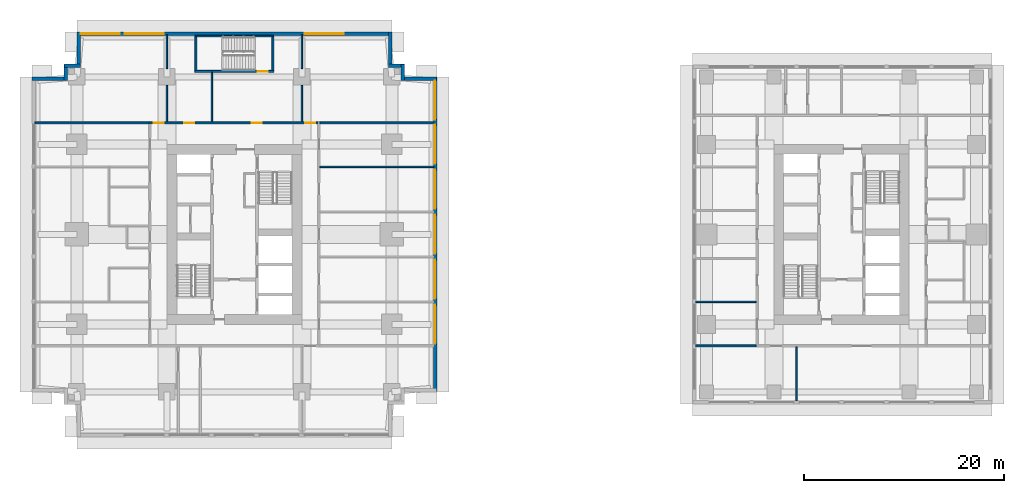
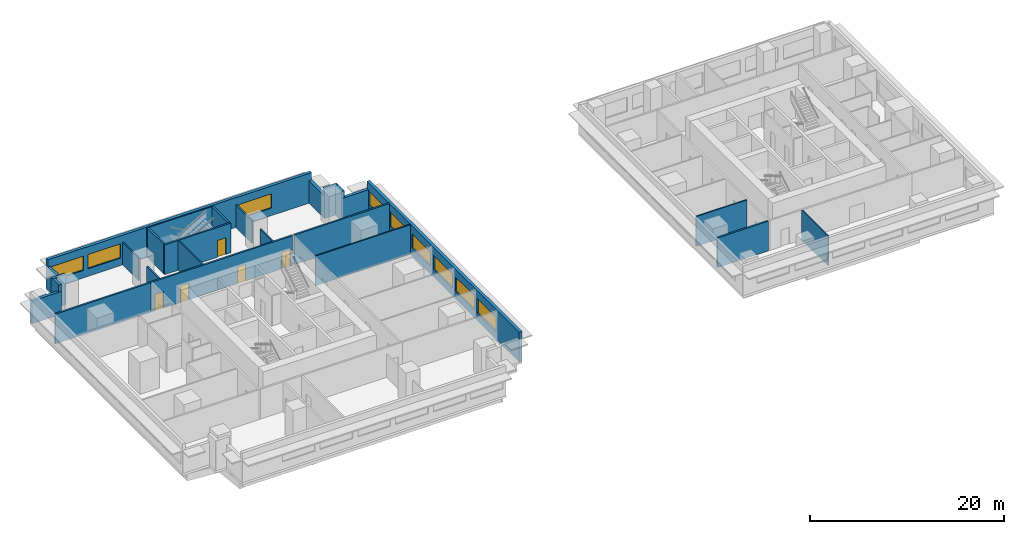
# One storey, part 5 of 11: 26 walls, 9 windows, 5 doors, 14 openings.
"""IFC4 building model written with IfcOpenShell, lengths in metres."""

from ifc_helpers import new_model, si_unit, direction, frame, frame_2d, origin, place, context, subcontext, project, spatial, rectangle, extrude, material, layer, layer_set, type_object, element, fill, save


model = new_model("IFC4")

# Units and contexts
model_context = context("Model", 3, precision=1e-05, world=origin(), true_north=direction((0.0, 1.0)))
body_context = subcontext(model_context, "Body", "Model", "MODEL_VIEW")
ifc_project = project(units=[si_unit("LENGTHUNIT", "METRE"), si_unit("AREAUNIT", "SQUARE_METRE"), si_unit("VOLUMEUNIT", "CUBIC_METRE"), si_unit("PLANEANGLEUNIT", "RADIAN"), si_unit("MASSUNIT", "GRAM", prefix="KILO")], contexts=[model_context])

# Site, building, storey
site_placement = place(None, origin())
site = spatial("IfcSite", under=ifc_project, at=site_placement, CompositionType="ELEMENT")
building_placement = place(site_placement, origin())
building = spatial("IfcBuilding", under=site, at=building_placement, Name="Namib Vertical Campus", CompositionType="ELEMENT")
storey_placement = place(building_placement, frame((0.0, 0.0, 185.0)))
storey = spatial("IfcBuildingStorey", under=building, at=storey_placement, Name="L43", CompositionType="ELEMENT", Elevation=185.0)

# Wall, openings, doors
ifc_material_1 = material(Name="Concrete masonry", Category="masonry")
ifc_layer_1 = layer(ifc_material_1, 0.199951171875)
ifc_layer_set_1 = layer_set([ifc_layer_1], Name="Corridor wall 200")
wall_type_1 = type_object("IfcWallType", Name="Corridor wall 200", PredefinedType="SOLIDWALL", material=ifc_layer_set_1)
wall_1_placement = place(storey_placement, frame((28.60009765625, 31.39990234375, 0.0), z_axis=(0.0, 0.0, 1.0), x_axis=(-1.0, 0.0, 0.0)))
wall_1 = element("IfcWall", 1, at=wall_1_placement, inside=storey, type_object=wall_type_1, Name="Corridor wall A L43 CN", PredefinedType="SOLIDWALL", context=body_context, shape_type="SweptSolid", body=[
    extrude(rectangle(XDim=16.900146484375, YDim=0.199951171875, at=frame_2d((8.4501953125, 0.0))), origin(), (0.0, 0.0, 1.0), 3.75),
])
opening_1_placement = place(wall_1_placement, frame((15.425048828125, 0.0, 0.0)))
opening_1 = element("IfcOpeningElement", 2, at=opening_1_placement, cuts=wall_1, Name="Opening CD1", PredefinedType="OPENING", context=body_context, shape_type="SweptSolid", body=[
    extrude(rectangle(XDim=1.0, YDim=2.10009765625, at=frame_2d((0.5, 1.050048828125))), frame((0.0, 0.10986328125, 0.0), z_axis=(0.0, -1.0, 0.0), x_axis=(1.0, 0.0, 0.0)), (0.0, 0.0, 1.0), 0.219970703125),
])
opening_2_placement = place(wall_1_placement, frame((12.35009765625, 0.0, 0.0)))
opening_2 = element("IfcOpeningElement", 3, at=opening_2_placement, cuts=wall_1, Name="Opening CD1", PredefinedType="OPENING", context=body_context, shape_type="SweptSolid", body=[
    extrude(rectangle(XDim=1.0, YDim=2.10009765625, at=frame_2d((0.5, 1.050048828125))), frame((0.0, 0.10986328125, 0.0), z_axis=(0.0, -1.0, 0.0), x_axis=(1.0, 0.0, 0.0)), (0.0, 0.0, 1.0), 0.219970703125),
])
opening_3_placement = place(wall_1_placement, frame((5.60009765625, 0.0, 0.0)))
opening_3 = element("IfcOpeningElement", 4, at=opening_3_placement, cuts=wall_1, Name="Opening CD4", PredefinedType="OPENING", context=body_context, shape_type="SweptSolid", body=[
    extrude(rectangle(XDim=1.0, YDim=2.10009765625, at=frame_2d((0.5, 1.050048828125))), frame((0.0, 0.10986328125, 0.0), z_axis=(0.0, -1.0, 0.0), x_axis=(1.0, 0.0, 0.0)), (0.0, 0.0, 1.0), 0.219970703125),
])
opening_4_placement = place(wall_1_placement, frame((0.27490234375, 0.0, 0.0)))
opening_4 = element("IfcOpeningElement", 5, at=opening_4_placement, cuts=wall_1, Name="Opening CD1", PredefinedType="OPENING", context=body_context, shape_type="SweptSolid", body=[
    extrude(rectangle(XDim=1.0, YDim=2.10009765625, at=frame_2d((0.5, 1.050048828125))), frame((0.0, 0.10986328125, 0.0), z_axis=(0.0, -1.0, 0.0), x_axis=(1.0, 0.0, 0.0)), (0.0, 0.0, 1.0), 0.219970703125),
])
ifc_material_2 = material(Name="Timber fire door leaf", Category="wood")
door_type_1 = type_object("IfcDoorType", Name="Corridor door 1000x2100 20 min", OperationType="SINGLE_SWING_LEFT", PredefinedType="DOOR", material=ifc_material_2)
door_1_placement = place(opening_1_placement, frame((1.0, 0.0, 0.0), z_axis=(0.0, 0.0, 1.0), x_axis=(-1.0, 0.0, 0.0)))
door_1 = element("IfcDoor", 6, at=door_1_placement, inside=storey, type_object=door_type_1, Name="Door CD1 A43-09", OperationType="SINGLE_SWING_RIGHT", OverallHeight=2.10009765625, OverallWidth=1.0, PredefinedType="DOOR", context=body_context, shape_type="SweptSolid", body=[
    extrude(rectangle(XDim=1.0, YDim=2.10009765625, at=frame_2d((0.5, 1.050048828125))), frame((0.0, 0.02490234375, 0.0), z_axis=(0.0, -1.0, 0.0), x_axis=(1.0, 0.0, 0.0)), (0.0, 0.0, 1.0), 0.050048828125),
])
fill(opening_1, door_1)
door_2_placement = place(opening_2_placement, frame((1.0, 0.0, 0.0), z_axis=(0.0, 0.0, 1.0), x_axis=(-1.0, 0.0, 0.0)))
door_2 = element("IfcDoor", 7, at=door_2_placement, inside=storey, type_object=door_type_1, Name="Door CD1 A43-10", OperationType="SINGLE_SWING_RIGHT", OverallHeight=2.10009765625, OverallWidth=1.0, PredefinedType="DOOR", context=body_context, shape_type="SweptSolid", body=[
    extrude(rectangle(XDim=1.0, YDim=2.10009765625, at=frame_2d((0.5, 1.050048828125))), frame((0.0, 0.02490234375, 0.0), z_axis=(0.0, -1.0, 0.0), x_axis=(1.0, 0.0, 0.0)), (0.0, 0.0, 1.0), 0.050048828125),
])
fill(opening_2, door_2)
door_3_placement = place(opening_4_placement, frame((1.0, 0.0, 0.0), z_axis=(0.0, 0.0, 1.0), x_axis=(-1.0, 0.0, 0.0)))
door_3 = element("IfcDoor", 8, at=door_3_placement, inside=storey, type_object=door_type_1, Name="Door CD1 A43-12", OperationType="SINGLE_SWING_LEFT", OverallHeight=2.10009765625, OverallWidth=1.0, PredefinedType="DOOR", context=body_context, shape_type="SweptSolid", body=[
    extrude(rectangle(XDim=1.0, YDim=2.10009765625, at=frame_2d((0.5, 1.050048828125))), frame((0.0, 0.02490234375, 0.0), z_axis=(0.0, -1.0, 0.0), x_axis=(1.0, 0.0, 0.0)), (0.0, 0.0, 1.0), 0.050048828125),
])
fill(opening_4, door_3)
ifc_material_3 = material(Name="Timber fire door leaf", Category="wood")
door_type_2 = type_object("IfcDoorType", Name="Corridor door 1000x2100 20 min double-acting", OperationType="DOUBLE_SWING_LEFT", PredefinedType="DOOR", material=ifc_material_3)
door_4_placement = place(opening_3_placement, origin())
door_4 = element("IfcDoor", 9, at=door_4_placement, inside=storey, type_object=door_type_2, Name="Door CD4 A43-11", OperationType="DOUBLE_SWING_LEFT", OverallHeight=2.10009765625, OverallWidth=1.0, PredefinedType="DOOR", context=body_context, shape_type="SweptSolid", body=[
    extrude(rectangle(XDim=1.0, YDim=2.10009765625, at=frame_2d((0.5, 1.050048828125))), frame((0.0, 0.02490234375, 0.0), z_axis=(0.0, -1.0, 0.0), x_axis=(1.0, 0.0, 0.0)), (0.0, 0.0, 1.0), 0.050048828125),
])
fill(opening_3, door_4)

# Walls
for number, where, z_axis, x_axis, name in (
    (10, (0.300048828125, 31.39990234375, 0.0), (0.0, 0.0, 1.0), (1.0, 0.0, 0.0), "Partition A L43 BNW"),
    (11, (28.800048828125, 31.39990234375, 0.0), (0.0, 0.0, 1.0), (1.0, 0.0, 0.0), "Partition A L43 BNE"),
):
    element("IfcWall", number, at=place(storey_placement, frame(where, z_axis=z_axis, x_axis=x_axis)), inside=storey, type_object=wall_type_1, Name=name, PredefinedType="SOLIDWALL", context=body_context, shape_type="SweptSolid", body=[
        extrude(rectangle(XDim=11.39990234375, YDim=0.199951171875, at=frame_2d((5.699951171875, 0.0))), origin(), (0.0, 0.0, 1.0), 3.75),
    ])
wall_2_placement = place(storey_placement, frame((66.39990234375, 9.10009765625, 0.0), z_axis=(0.0, 0.0, 1.0), x_axis=(1.0, 0.0, 0.0)))
element("IfcWall", 12, at=wall_2_placement, inside=storey, type_object=wall_type_1, Name="Partition B L43 BSW", PredefinedType="SOLIDWALL", context=body_context, shape_type="SweptSolid", body=[
    extrude(rectangle(XDim=6.050048828125, YDim=0.199951171875, at=frame_2d((3.02490234375, 0.0))), origin(), (0.0, 0.0, 1.0), 3.75),
])

# Wall, openings, windows
ifc_material_4 = material(Name="Concrete C40/50", Category="concrete")
ifc_layer_2 = layer(ifc_material_4, 0.35009765625)
ifc_layer_set_2 = layer_set([ifc_layer_2], Name="Concrete C40/50")
wall_type_2 = type_object("IfcWallType", Name="External wall 350 bush-hammered concrete", PredefinedType="STANDARD", material=ifc_layer_set_2)
wall_3_placement = place(storey_placement, frame((40.324951171875, 4.52001953125, 0.0), z_axis=(0.0, 0.0, 1.0), x_axis=(0.0, 1.0, 0.0)))
wall_3 = element("IfcWall", 13, at=wall_3_placement, inside=storey, type_object=wall_type_2, Name="External wall L43 F06", PredefinedType="STANDARD", context=body_context, shape_type="SweptSolid", body=[
    extrude(rectangle(XDim=31.4599609375, YDim=0.35009765625, at=frame_2d((15.72998046875, 0.0))), origin(), (0.0, 0.0, 1.0), 3.75),
])
opening_5_placement = place(wall_3_placement, frame((4.780029296875, 0.0, 0.949951171875)))
opening_5 = element("IfcOpeningElement", 14, at=opening_5_placement, cuts=wall_3, Name="Opening W3", PredefinedType="OPENING", context=body_context, shape_type="SweptSolid", body=[
    extrude(rectangle(XDim=3.89990234375, YDim=1.800048828125, at=frame_2d((1.949951171875, 0.89990234375))), frame((0.0, 0.18505859375, 0.0), z_axis=(0.0, -1.0, 0.0), x_axis=(1.0, 0.0, 0.0)), (0.0, 0.0, 1.0), 0.3701171875),
])
opening_6_placement = place(wall_3_placement, frame((9.280029296875, 0.0, 0.949951171875)))
opening_6 = element("IfcOpeningElement", 15, at=opening_6_placement, cuts=wall_3, Name="Opening W3", PredefinedType="OPENING", context=body_context, shape_type="SweptSolid", body=[
    extrude(rectangle(XDim=3.89990234375, YDim=1.800048828125, at=frame_2d((1.949951171875, 0.89990234375))), frame((0.0, 0.18505859375, 0.0), z_axis=(0.0, -1.0, 0.0), x_axis=(1.0, 0.0, 0.0)), (0.0, 0.0, 1.0), 0.3701171875),
])
opening_7_placement = place(wall_3_placement, frame((13.780029296875, 0.0, 0.949951171875)))
opening_7 = element("IfcOpeningElement", 16, at=opening_7_placement, cuts=wall_3, Name="Opening W3", PredefinedType="OPENING", context=body_context, shape_type="SweptSolid", body=[
    extrude(rectangle(XDim=3.89990234375, YDim=1.800048828125, at=frame_2d((1.949951171875, 0.89990234375))), frame((0.0, 0.18505859375, 0.0), z_axis=(0.0, -1.0, 0.0), x_axis=(1.0, 0.0, 0.0)), (0.0, 0.0, 1.0), 0.3701171875),
])
opening_8_placement = place(wall_3_placement, frame((18.280029296875, 0.0, 0.949951171875)))
opening_8 = element("IfcOpeningElement", 17, at=opening_8_placement, cuts=wall_3, Name="Opening W3", PredefinedType="OPENING", context=body_context, shape_type="SweptSolid", body=[
    extrude(rectangle(XDim=3.89990234375, YDim=1.800048828125, at=frame_2d((1.949951171875, 0.89990234375))), frame((0.0, 0.18505859375, 0.0), z_axis=(0.0, -1.0, 0.0), x_axis=(1.0, 0.0, 0.0)), (0.0, 0.0, 1.0), 0.3701171875),
])
opening_9_placement = place(wall_3_placement, frame((22.780029296875, 0.0, 0.949951171875)))
opening_9 = element("IfcOpeningElement", 18, at=opening_9_placement, cuts=wall_3, Name="Opening W3", PredefinedType="OPENING", context=body_context, shape_type="SweptSolid", body=[
    extrude(rectangle(XDim=3.89990234375, YDim=1.800048828125, at=frame_2d((1.949951171875, 0.89990234375))), frame((0.0, 0.18505859375, 0.0), z_axis=(0.0, -1.0, 0.0), x_axis=(1.0, 0.0, 0.0)), (0.0, 0.0, 1.0), 0.3701171875),
])
opening_10_placement = place(wall_3_placement, frame((27.2099609375, 0.0, 0.949951171875)))
opening_10 = element("IfcOpeningElement", 19, at=opening_10_placement, cuts=wall_3, Name="Opening W3", PredefinedType="OPENING", context=body_context, shape_type="SweptSolid", body=[
    extrude(rectangle(XDim=3.89990234375, YDim=1.800048828125, at=frame_2d((1.949951171875, 0.89990234375))), frame((0.0, 0.18505859375, 0.0), z_axis=(0.0, -1.0, 0.0), x_axis=(1.0, 0.0, 0.0)), (0.0, 0.0, 1.0), 0.3701171875),
])
ifc_material_5 = material(Name="Dark tinted glass in black aluminium frame", Category="aluminium")
window_type = type_object("IfcWindowType", Name="Ribbon window 3900x1800", PartitioningType="SINGLE_PANEL", PredefinedType="WINDOW", material=ifc_material_5)
window_1_placement = place(opening_5_placement, origin())
window_1 = element("IfcWindow", 20, at=window_1_placement, inside=storey, type_object=window_type, Name="Window W3 L43 F06-2", OverallHeight=1.800048828125, OverallWidth=3.89990234375, PartitioningType="SINGLE_PANEL", PredefinedType="WINDOW", context=body_context, shape_type="SweptSolid", body=[
    extrude(rectangle(XDim=3.89990234375, YDim=1.800048828125, at=frame_2d((1.949951171875, 0.89990234375))), frame((0.0, 0.030029296875, 0.0), z_axis=(0.0, -1.0, 0.0), x_axis=(1.0, 0.0, 0.0)), (0.0, 0.0, 1.0), 0.06005859375),
])
fill(opening_5, window_1)
window_2_placement = place(opening_6_placement, origin())
window_2 = element("IfcWindow", 21, at=window_2_placement, inside=storey, type_object=window_type, Name="Window W3 L43 F06-3", OverallHeight=1.800048828125, OverallWidth=3.89990234375, PartitioningType="SINGLE_PANEL", PredefinedType="WINDOW", context=body_context, shape_type="SweptSolid", body=[
    extrude(rectangle(XDim=3.89990234375, YDim=1.800048828125, at=frame_2d((1.949951171875, 0.89990234375))), frame((0.0, 0.030029296875, 0.0), z_axis=(0.0, -1.0, 0.0), x_axis=(1.0, 0.0, 0.0)), (0.0, 0.0, 1.0), 0.06005859375),
])
fill(opening_6, window_2)
window_3_placement = place(opening_7_placement, origin())
window_3 = element("IfcWindow", 22, at=window_3_placement, inside=storey, type_object=window_type, Name="Window W3 L43 F06-4", OverallHeight=1.800048828125, OverallWidth=3.89990234375, PartitioningType="SINGLE_PANEL", PredefinedType="WINDOW", context=body_context, shape_type="SweptSolid", body=[
    extrude(rectangle(XDim=3.89990234375, YDim=1.800048828125, at=frame_2d((1.949951171875, 0.89990234375))), frame((0.0, 0.030029296875, 0.0), z_axis=(0.0, -1.0, 0.0), x_axis=(1.0, 0.0, 0.0)), (0.0, 0.0, 1.0), 0.06005859375),
])
fill(opening_7, window_3)
window_4_placement = place(opening_8_placement, origin())
window_4 = element("IfcWindow", 23, at=window_4_placement, inside=storey, type_object=window_type, Name="Window W3 L43 F06-5", OverallHeight=1.800048828125, OverallWidth=3.89990234375, PartitioningType="SINGLE_PANEL", PredefinedType="WINDOW", context=body_context, shape_type="SweptSolid", body=[
    extrude(rectangle(XDim=3.89990234375, YDim=1.800048828125, at=frame_2d((1.949951171875, 0.89990234375))), frame((0.0, 0.030029296875, 0.0), z_axis=(0.0, -1.0, 0.0), x_axis=(1.0, 0.0, 0.0)), (0.0, 0.0, 1.0), 0.06005859375),
])
fill(opening_8, window_4)
window_5_placement = place(opening_9_placement, origin())
window_5 = element("IfcWindow", 24, at=window_5_placement, inside=storey, type_object=window_type, Name="Window W3 L43 F06-6", OverallHeight=1.800048828125, OverallWidth=3.89990234375, PartitioningType="SINGLE_PANEL", PredefinedType="WINDOW", context=body_context, shape_type="SweptSolid", body=[
    extrude(rectangle(XDim=3.89990234375, YDim=1.800048828125, at=frame_2d((1.949951171875, 0.89990234375))), frame((0.0, 0.030029296875, 0.0), z_axis=(0.0, -1.0, 0.0), x_axis=(1.0, 0.0, 0.0)), (0.0, 0.0, 1.0), 0.06005859375),
])
fill(opening_9, window_5)
window_6_placement = place(opening_10_placement, origin())
window_6 = element("IfcWindow", 25, at=window_6_placement, inside=storey, type_object=window_type, Name="Window W3 L43 F06-7", OverallHeight=1.800048828125, OverallWidth=3.89990234375, PartitioningType="SINGLE_PANEL", PredefinedType="WINDOW", context=body_context, shape_type="SweptSolid", body=[
    extrude(rectangle(XDim=3.89990234375, YDim=1.800048828125, at=frame_2d((1.949951171875, 0.89990234375))), frame((0.0, 0.030029296875, 0.0), z_axis=(0.0, -1.0, 0.0), x_axis=(1.0, 0.0, 0.0)), (0.0, 0.0, 1.0), 0.06005859375),
])
fill(opening_10, window_6)

# Walls
wall_4_placement = place(storey_placement, frame((40.47998046875, 35.824951171875, 0.0), z_axis=(0.0, 0.0, 1.0), x_axis=(-1.0, 0.0, 0.0)))
element("IfcWall", 26, at=wall_4_placement, inside=storey, type_object=wall_type_2, Name="External wall L43 F07", PredefinedType="STANDARD", context=body_context, shape_type="SweptSolid", body=[
    extrude(rectangle(XDim=3.534912109375, YDim=0.35009765625, at=frame_2d((1.767578125, 0.0))), origin(), (0.0, 0.0, 1.0), 2.85009765625),
])
for number, where, z_axis, x_axis, name in (
    (27, (37.10009765625, 35.669921875, 0.0), (0.0, 0.0, 1.0), (0.0, 1.0, 0.0), "External wall L43 F08"),
    (28, (37.2548828125, 37.10009765625, 0.0), (0.0, 0.0, 1.0), (-1.0, 0.0, 0.0), "External wall L43 F09"),
):
    element("IfcWall", number, at=place(storey_placement, frame(where, z_axis=z_axis, x_axis=x_axis)), inside=storey, type_object=wall_type_2, Name=name, PredefinedType="STANDARD", context=body_context, shape_type="SweptSolid", body=[
        extrude(rectangle(XDim=1.5849609375, YDim=0.35009765625, at=frame_2d((0.79248046875, 0.0))), origin(), (0.0, 0.0, 1.0), 3.75),
    ])
wall_5_placement = place(storey_placement, frame((35.824951171875, 36.945068359375, 0.0), z_axis=(0.0, 0.0, 1.0), x_axis=(0.0, 1.0, 0.0)))
element("IfcWall", 29, at=wall_5_placement, inside=storey, type_object=wall_type_2, Name="External wall L43 F10", PredefinedType="STANDARD", context=body_context, shape_type="SweptSolid", body=[
    extrude(rectangle(XDim=3.534912109375, YDim=0.35009765625, at=frame_2d((1.767578125, 0.0))), origin(), (0.0, 0.0, 1.0), 2.85009765625),
])

# Wall, openings, windows
wall_6_placement = place(storey_placement, frame((35.97998046875, 40.324951171875, 0.0), z_axis=(0.0, 0.0, 1.0), x_axis=(-1.0, 0.0, 0.0)))
wall_6 = element("IfcWall", 30, at=wall_6_placement, inside=storey, type_object=wall_type_2, Name="External wall L43 F11", PredefinedType="STANDARD", context=body_context, shape_type="SweptSolid", body=[
    extrude(rectangle(XDim=31.4599609375, YDim=0.35009765625, at=frame_2d((15.72998046875, 0.0))), origin(), (0.0, 0.0, 1.0), 3.75),
])
opening_11_placement = place(wall_6_placement, frame((27.2099609375, 0.0, 0.949951171875)))
opening_11 = element("IfcOpeningElement", 31, at=opening_11_placement, cuts=wall_6, Name="Opening W3", PredefinedType="OPENING", context=body_context, shape_type="SweptSolid", body=[
    extrude(rectangle(XDim=3.89990234375, YDim=1.800048828125, at=frame_2d((1.949951171875, 0.89990234375))), frame((0.0, 0.18505859375, 0.0), z_axis=(0.0, -1.0, 0.0), x_axis=(1.0, 0.0, 0.0)), (0.0, 0.0, 1.0), 0.3701171875),
])
opening_12_placement = place(wall_6_placement, frame((22.780029296875, 0.0, 0.949951171875)))
opening_12 = element("IfcOpeningElement", 32, at=opening_12_placement, cuts=wall_6, Name="Opening W3", PredefinedType="OPENING", context=body_context, shape_type="SweptSolid", body=[
    extrude(rectangle(XDim=3.89990234375, YDim=1.800048828125, at=frame_2d((1.949951171875, 0.89990234375))), frame((0.0, 0.18505859375, 0.0), z_axis=(0.0, -1.0, 0.0), x_axis=(1.0, 0.0, 0.0)), (0.0, 0.0, 1.0), 0.3701171875),
])
opening_13_placement = place(wall_6_placement, frame((4.780029296875, 0.0, 0.949951171875)))
opening_13 = element("IfcOpeningElement", 33, at=opening_13_placement, cuts=wall_6, Name="Opening W3", PredefinedType="OPENING", context=body_context, shape_type="SweptSolid", body=[
    extrude(rectangle(XDim=3.89990234375, YDim=1.800048828125, at=frame_2d((1.949951171875, 0.89990234375))), frame((0.0, 0.18505859375, 0.0), z_axis=(0.0, -1.0, 0.0), x_axis=(1.0, 0.0, 0.0)), (0.0, 0.0, 1.0), 0.3701171875),
])
window_7_placement = place(opening_11_placement, origin())
window_7 = element("IfcWindow", 34, at=window_7_placement, inside=storey, type_object=window_type, Name="Window W3 L43 F11-1", OverallHeight=1.800048828125, OverallWidth=3.89990234375, PartitioningType="SINGLE_PANEL", PredefinedType="WINDOW", context=body_context, shape_type="SweptSolid", body=[
    extrude(rectangle(XDim=3.89990234375, YDim=1.800048828125, at=frame_2d((1.949951171875, 0.89990234375))), frame((0.0, 0.030029296875, 0.0), z_axis=(0.0, -1.0, 0.0), x_axis=(1.0, 0.0, 0.0)), (0.0, 0.0, 1.0), 0.06005859375),
])
fill(opening_11, window_7)
window_8_placement = place(opening_12_placement, origin())
window_8 = element("IfcWindow", 35, at=window_8_placement, inside=storey, type_object=window_type, Name="Window W3 L43 F11-2", OverallHeight=1.800048828125, OverallWidth=3.89990234375, PartitioningType="SINGLE_PANEL", PredefinedType="WINDOW", context=body_context, shape_type="SweptSolid", body=[
    extrude(rectangle(XDim=3.89990234375, YDim=1.800048828125, at=frame_2d((1.949951171875, 0.89990234375))), frame((0.0, 0.030029296875, 0.0), z_axis=(0.0, -1.0, 0.0), x_axis=(1.0, 0.0, 0.0)), (0.0, 0.0, 1.0), 0.06005859375),
])
fill(opening_12, window_8)
window_9_placement = place(opening_13_placement, origin())
window_9 = element("IfcWindow", 36, at=window_9_placement, inside=storey, type_object=window_type, Name="Window W3 L43 F11-6", OverallHeight=1.800048828125, OverallWidth=3.89990234375, PartitioningType="SINGLE_PANEL", PredefinedType="WINDOW", context=body_context, shape_type="SweptSolid", body=[
    extrude(rectangle(XDim=3.89990234375, YDim=1.800048828125, at=frame_2d((1.949951171875, 0.89990234375))), frame((0.0, 0.030029296875, 0.0), z_axis=(0.0, -1.0, 0.0), x_axis=(1.0, 0.0, 0.0)), (0.0, 0.0, 1.0), 0.06005859375),
])
fill(opening_13, window_9)

# Walls
wall_7_placement = place(storey_placement, frame((4.675048828125, 40.47998046875, 0.0), z_axis=(0.0, 0.0, 1.0), x_axis=(0.0, -1.0, 0.0)))
element("IfcWall", 37, at=wall_7_placement, inside=storey, type_object=wall_type_2, Name="External wall L43 F12", PredefinedType="STANDARD", context=body_context, shape_type="SweptSolid", body=[
    extrude(rectangle(XDim=3.534912109375, YDim=0.35009765625, at=frame_2d((1.767578125, 0.0))), origin(), (0.0, 0.0, 1.0), 2.85009765625),
])
for number, where, z_axis, x_axis, name in (
    (38, (4.830078125, 37.10009765625, 0.0), (0.0, 0.0, 1.0), (-1.0, 0.0, 0.0), "External wall L43 F13"),
    (39, (3.39990234375, 37.2548828125, 0.0), (0.0, 0.0, 1.0), (0.0, -1.0, 0.0), "External wall L43 F14"),
):
    element("IfcWall", number, at=place(storey_placement, frame(where, z_axis=z_axis, x_axis=x_axis)), inside=storey, type_object=wall_type_2, Name=name, PredefinedType="STANDARD", context=body_context, shape_type="SweptSolid", body=[
        extrude(rectangle(XDim=1.5849609375, YDim=0.35009765625, at=frame_2d((0.79248046875, 0.0))), origin(), (0.0, 0.0, 1.0), 3.75),
    ])
wall_8_placement = place(storey_placement, frame((3.554931640625, 35.824951171875, 0.0), z_axis=(0.0, 0.0, 1.0), x_axis=(-1.0, 0.0, 0.0)))
element("IfcWall", 40, at=wall_8_placement, inside=storey, type_object=wall_type_2, Name="External wall L43 F15", PredefinedType="STANDARD", context=body_context, shape_type="SweptSolid", body=[
    extrude(rectangle(XDim=3.534912109375, YDim=0.35009765625, at=frame_2d((1.767578125, 0.0))), origin(), (0.0, 0.0, 1.0), 2.85009765625),
])
ifc_material_6 = material(Name="Gypsum board on steel studs", Category="steel")
ifc_layer_3 = layer(ifc_material_6, 0.14990234375)
ifc_layer_set_3 = layer_set([ifc_layer_3], Name="Gypsum board on steel studs")
wall_type_3 = type_object("IfcWallType", Name="Partition 150", PredefinedType="PARTITIONING", material=ifc_layer_set_3)
wall_9_placement = place(storey_placement, frame((13.5, 31.5, 0.0), z_axis=(0.0, 0.0, 1.0), x_axis=(0.0, 1.0, 0.0)))
element("IfcWall", 41, at=wall_9_placement, inside=storey, type_object=wall_type_3, Name="Partition A L43 PN1", PredefinedType="PARTITIONING", context=body_context, shape_type="SweptSolid", body=[
    extrude(rectangle(XDim=3.655029296875, YDim=0.14990234375, at=frame_2d((1.82763671875, 0.0))), origin(), (0.0, 0.0, 1.0), 2.85009765625),
])
wall_10_placement = place(storey_placement, frame((13.5, 36.844970703125, 0.0), z_axis=(0.0, 0.0, 1.0), x_axis=(0.0, 1.0, 0.0)))
element("IfcWall", 42, at=wall_10_placement, inside=storey, type_object=wall_type_3, Name="Partition A L43 PN1", PredefinedType="PARTITIONING", context=body_context, shape_type="SweptSolid", body=[
    extrude(rectangle(XDim=3.35498046875, YDim=0.14990234375, at=frame_2d((1.677490234375, 0.0))), origin(), (0.0, 0.0, 1.0), 2.85009765625),
])
wall_11_placement = place(storey_placement, frame((18.0, 31.5, 0.0), z_axis=(0.0, 0.0, 1.0), x_axis=(0.0, 1.0, 0.0)))
element("IfcWall", 43, at=wall_11_placement, inside=storey, type_object=wall_type_3, Name="Partition A L43 PN2", PredefinedType="PARTITIONING", context=body_context, shape_type="SweptSolid", body=[
    extrude(rectangle(XDim=4.949951171875, YDim=0.14990234375, at=frame_2d((2.47509765625, 0.0))), origin(), (0.0, 0.0, 1.0), 3.75),
])
wall_12_placement = place(storey_placement, frame((27.0, 31.5, 0.0), z_axis=(0.0, 0.0, 1.0), x_axis=(0.0, 1.0, 0.0)))
element("IfcWall", 44, at=wall_12_placement, inside=storey, type_object=wall_type_3, Name="Partition A L43 PN3", PredefinedType="PARTITIONING", context=body_context, shape_type="SweptSolid", body=[
    extrude(rectangle(XDim=3.655029296875, YDim=0.14990234375, at=frame_2d((1.82763671875, 0.0))), origin(), (0.0, 0.0, 1.0), 2.85009765625),
])
wall_13_placement = place(storey_placement, frame((27.0, 36.844970703125, 0.0), z_axis=(0.0, 0.0, 1.0), x_axis=(0.0, 1.0, 0.0)))
element("IfcWall", 45, at=wall_13_placement, inside=storey, type_object=wall_type_3, Name="Partition A L43 PN3", PredefinedType="PARTITIONING", context=body_context, shape_type="SweptSolid", body=[
    extrude(rectangle(XDim=3.35498046875, YDim=0.14990234375, at=frame_2d((1.677490234375, 0.0))), origin(), (0.0, 0.0, 1.0), 2.85009765625),
])
wall_14_placement = place(storey_placement, frame((28.800048828125, 27.0, 0.0), z_axis=(0.0, 0.0, 1.0), x_axis=(1.0, 0.0, 0.0)))
element("IfcWall", 46, at=wall_14_placement, inside=storey, type_object=wall_type_3, Name="Partition A L43 PE4", PredefinedType="PARTITIONING", context=body_context, shape_type="SweptSolid", body=[
    extrude(rectangle(XDim=11.39990234375, YDim=0.14990234375, at=frame_2d((5.699951171875, 0.0))), origin(), (0.0, 0.0, 1.0), 3.75),
])
wall_15_placement = place(storey_placement, frame((76.5, 3.60009765625, 0.0), z_axis=(0.0, 0.0, 1.0), x_axis=(0.0, 1.0, 0.0)))
element("IfcWall", 47, at=wall_15_placement, inside=storey, type_object=wall_type_3, Name="Partition B L43 PS1", PredefinedType="PARTITIONING", context=body_context, shape_type="SweptSolid", body=[
    extrude(rectangle(XDim=5.39990234375, YDim=0.14990234375, at=frame_2d((2.699951171875, 0.0))), origin(), (0.0, 0.0, 1.0), 3.75),
])
wall_16_placement = place(storey_placement, frame((66.39990234375, 13.5, 0.0), z_axis=(0.0, 0.0, 1.0), x_axis=(1.0, 0.0, 0.0)))
element("IfcWall", 48, at=wall_16_placement, inside=storey, type_object=wall_type_3, Name="Partition B L43 PW1", PredefinedType="PARTITIONING", context=body_context, shape_type="SweptSolid", body=[
    extrude(rectangle(XDim=6.050048828125, YDim=0.14990234375, at=frame_2d((3.02490234375, 0.0))), origin(), (0.0, 0.0, 1.0), 3.75),
])
ifc_material_7 = material(Name="Concrete C40/50", Category="concrete")
ifc_layer_4 = layer(ifc_material_7, 0.14990234375)
ifc_layer_set_4 = layer_set([ifc_layer_4], Name="Concrete C40/50")
wall_type_4 = type_object("IfcWallType", Name="Stair enclosure wall RC 150", PredefinedType="SOLIDWALL", material=ifc_layer_set_4)
wall_17_placement = place(storey_placement, frame((16.300048828125, 40.074951171875, 0.0), z_axis=(0.0, 0.0, 1.0), x_axis=(1.0, 0.0, 0.0)))
element("IfcWall", 49, at=wall_17_placement, inside=storey, type_object=wall_type_4, Name="Stair enclosure wall A-S3 L43 N", PredefinedType="SOLIDWALL", context=body_context, shape_type="SweptSolid", body=[
    extrude(rectangle(XDim=7.89990234375, YDim=0.14990234375, at=frame_2d((3.949951171875, 0.0))), origin(), (0.0, 0.0, 1.0), 3.75),
])

# Wall, opening, door
ifc_material_8 = material(Name="Concrete C40/50", Category="concrete")
ifc_layer_5 = layer(ifc_material_8, 0.199951171875)
ifc_layer_set_5 = layer_set([ifc_layer_5], Name="Concrete C40/50")
wall_type_5 = type_object("IfcWallType", Name="Stair enclosure wall RC 200", PredefinedType="SOLIDWALL", material=ifc_layer_set_5)
wall_18_placement = place(storey_placement, frame((16.300048828125, 36.550048828125, 0.0), z_axis=(0.0, 0.0, 1.0), x_axis=(1.0, 0.0, 0.0)))
wall_18 = element("IfcWall", 50, at=wall_18_placement, inside=storey, type_object=wall_type_5, Name="Stair enclosure wall A-S3 L43 S", PredefinedType="SOLIDWALL", context=body_context, shape_type="SweptSolid", body=[
    extrude(rectangle(XDim=7.89990234375, YDim=0.199951171875, at=frame_2d((3.949951171875, 0.0))), origin(), (0.0, 0.0, 1.0), 3.75),
])
opening_14_placement = place(wall_18_placement, frame((6.300048828125, 0.0, 0.0)))
opening_14 = element("IfcOpeningElement", 51, at=opening_14_placement, cuts=wall_18, Name="Opening FD1", PredefinedType="OPENING", context=body_context, shape_type="SweptSolid", body=[
    extrude(rectangle(XDim=1.0, YDim=2.10009765625, at=frame_2d((0.5, 1.050048828125))), frame((0.0, 0.10986328125, 0.0), z_axis=(0.0, -1.0, 0.0), x_axis=(1.0, 0.0, 0.0)), (0.0, 0.0, 1.0), 0.219970703125),
])
ifc_material_9 = material(Name="Steel fire door", Category="steel")
door_type_3 = type_object("IfcDoorType", Name="Fire door 1000x2100", OperationType="SINGLE_SWING_RIGHT", PredefinedType="DOOR", material=ifc_material_9)
door_5_placement = place(opening_14_placement, origin())
door_5 = element("IfcDoor", 52, at=door_5_placement, inside=storey, type_object=door_type_3, Name="Stair door FD1 A L43 S3", OperationType="SINGLE_SWING_RIGHT", OverallHeight=2.10009765625, OverallWidth=1.0, PredefinedType="DOOR", context=body_context, shape_type="SweptSolid", body=[
    extrude(rectangle(XDim=1.0, YDim=2.10009765625, at=frame_2d((0.5, 1.050048828125))), frame((0.0, 0.02490234375, 0.0), z_axis=(0.0, -1.0, 0.0), x_axis=(1.0, 0.0, 0.0)), (0.0, 0.0, 1.0), 0.050048828125),
])
fill(opening_14, door_5)

# Walls
for number, where, z_axis, x_axis, name in (
    (53, (16.39990234375, 36.64990234375, 0.0), (0.0, 0.0, 1.0), (0.0, 1.0, 0.0), "Stair enclosure wall A-S3 L43 W"),
    (54, (24.10009765625, 36.64990234375, 0.0), (0.0, 0.0, 1.0), (0.0, 1.0, 0.0), "Stair enclosure wall A-S3 L43 E"),
):
    element("IfcWall", number, at=place(storey_placement, frame(where, z_axis=z_axis, x_axis=x_axis)), inside=storey, type_object=wall_type_5, Name=name, PredefinedType="SOLIDWALL", context=body_context, shape_type="SweptSolid", body=[
        extrude(rectangle(XDim=3.35009765625, YDim=0.199951171875, at=frame_2d((1.675048828125, 0.0))), origin(), (0.0, 0.0, 1.0), 3.75),
    ])

save(model, "model.ifc")
